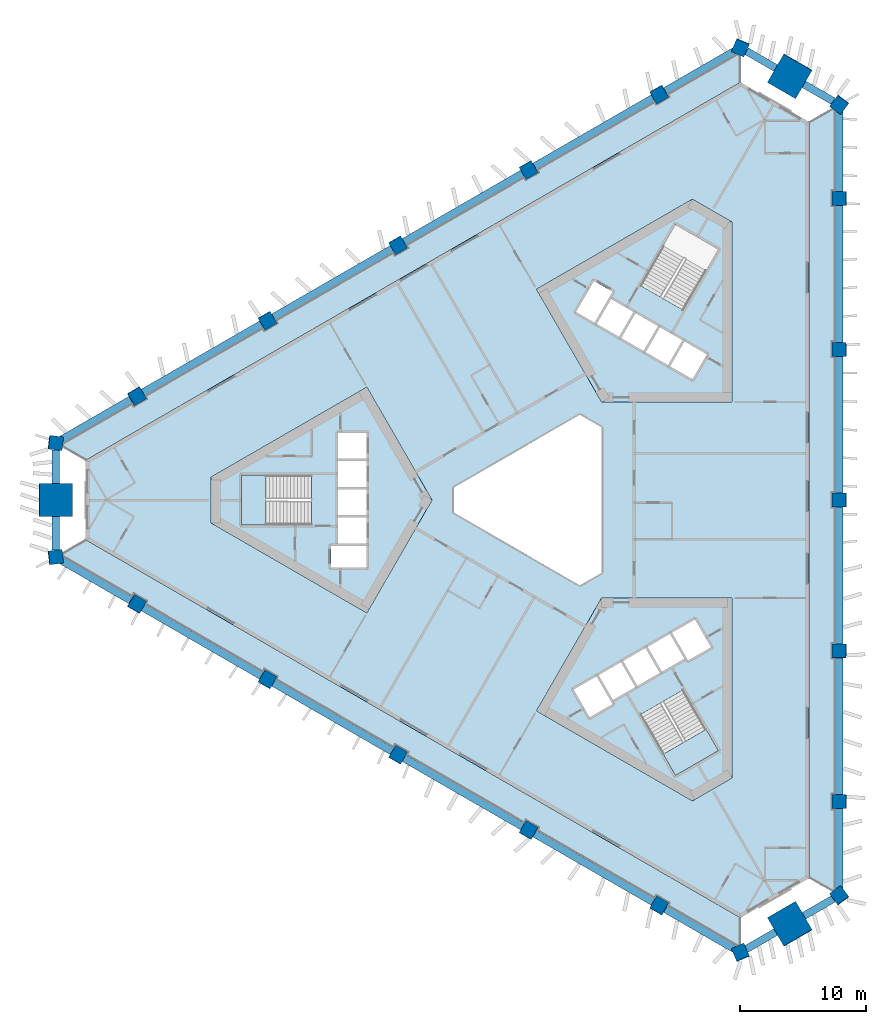
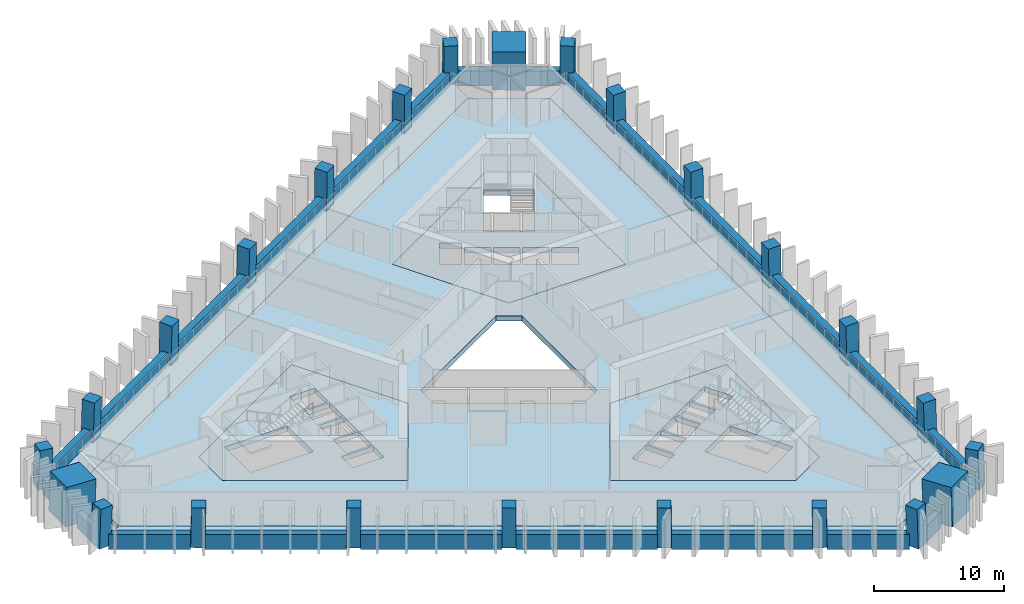
# One storey, part 1 of 11: 24 beams, 24 columns, 9 slabs, 2 elements without a shape of their own.
"""IFC4 building model written with IfcOpenShell, lengths in metres."""

from ifc_helpers import new_model, si_unit, direction, frame, origin, origin_2d, place, context, subcontext, project, spatial, polyline, rectangle, outline, extrude, material, layer, layer_set, material_profile, profile_set, type_object, element, aggregate, save


model = new_model("IFC4")

# Units and contexts
model_context = context("Model", 3, precision=1e-05, world=origin(), true_north=direction((0.0, 1.0)))
body_context = subcontext(model_context, "Body", "Model", "MODEL_VIEW")
ifc_project = project(units=[si_unit("LENGTHUNIT", "METRE"), si_unit("AREAUNIT", "SQUARE_METRE"), si_unit("VOLUMEUNIT", "CUBIC_METRE"), si_unit("PLANEANGLEUNIT", "RADIAN"), si_unit("MASSUNIT", "GRAM", prefix="KILO")], contexts=[model_context])

# Site, building, storey
site_placement = place(None, origin())
site = spatial("IfcSite", under=ifc_project, at=site_placement, CompositionType="ELEMENT")
building_placement = place(site_placement, origin())
building = spatial("IfcBuilding", under=site, at=building_placement, Name="Jabali Bay Hotel Tower and Convention Centre", CompositionType="ELEMENT")
storey_placement = place(building_placement, frame((0.0, 0.0, 61.0)))
storey = spatial("IfcBuildingStorey", under=building, at=storey_placement, Name="L13", CompositionType="ELEMENT", Elevation=61.0)

# Columns
ifc_material_1 = material(Name="Concrete C60", Category="concrete")
ifc_material_profile_1 = material_profile(ifc_material_1, rectangle(XDim=1.10009765625, YDim=1.10009765625, at=origin_2d()), Name="Frame column 1100")
ifc_profile_set_1 = profile_set([ifc_material_profile_1], Name="Concrete C60")
column_type_1 = type_object("IfcColumnType", Name="Frame column 1100", PredefinedType="COLUMN", material=ifc_profile_set_1)
column_1_placement = place(storey_placement, frame((84.0888671875, 112.29541015625, 0.0), z_axis=(-0.008376454378, -0.028163354484, 0.999568237028), x_axis=(0.86585218107, 0.499844611273, 0.021339285781)))
element("IfcColumn", 1, at=column_1_placement, inside=storey, type_object=column_type_1, Name="FC2 F1.1 L13", PredefinedType="COLUMN", context=body_context, shape_type="SweptSolid", body=[
    extrude(rectangle(XDim=1.10009765625, YDim=1.10009765625, at=origin_2d()), origin(), (0.0, 0.0, 1.0), 3.70166015625),
])
column_2_placement = place(storey_placement, frame((73.6884765625, 106.29052734375, 0.0), z_axis=(0.000857580205, -0.022758859284, 0.9997406158), x_axis=(0.866005831592, 0.499920732377, 0.010637715398)))
element("IfcColumn", 2, at=column_2_placement, inside=storey, type_object=column_type_1, Name="FC2 F1.2 L13", PredefinedType="COLUMN", context=body_context, shape_type="SweptSolid", body=[
    extrude(rectangle(XDim=1.10009765625, YDim=1.10009765625, at=origin_2d()), origin(), (0.0, 0.0, 1.0), 3.700927734375),
])
column_3_placement = place(storey_placement, frame((63.287841796875, 100.285888671875, 0.0), z_axis=(0.010093620709, -0.017482414954, 0.999796221231), x_axis=(0.866020200589, 0.50000901209, 8.5616e-08)))
element("IfcColumn", 3, at=column_3_placement, inside=storey, type_object=column_type_1, Name="FC2 F1.3 L13", PredefinedType="COLUMN", context=body_context, shape_type="SweptSolid", body=[
    extrude(rectangle(XDim=1.10009765625, YDim=1.10009765625, at=origin_2d()), origin(), (0.0, 0.0, 1.0), 3.70068359375),
])
column_4_placement = place(storey_placement, frame((52.887451171875, 94.28125, 0.0), z_axis=(0.019328516974, -0.012138044789, 0.999739504221), x_axis=(-0.500208848309, 0.865669585777, 0.020181088508)))
element("IfcColumn", 4, at=column_4_placement, inside=storey, type_object=column_type_1, Name="FC2 F1.4 L13", PredefinedType="COLUMN", context=body_context, shape_type="SweptSolid", body=[
    extrude(rectangle(XDim=1.10009765625, YDim=1.10009765625, at=origin_2d()), origin(), (0.0, 0.0, 1.0), 3.700927734375),
])
for number, where, z_axis, x_axis, name in (
    (5, (42.487060546875, 88.2763671875, 0.0), (0.028493212074, -0.006793520471, 0.999570900409), (-0.499957806748, 0.865815646522, 0.020135980476), "FC2 F1.5 L13"),
    (6, (42.487060546875, 71.7236328125, 0.0), (0.028493212074, 0.006793520471, 0.999570900409), (-0.865580919578, 0.50031701382, 0.021273395238), "FC2 F2.1 L13"),
):
    element("IfcColumn", number, at=place(storey_placement, frame(where, z_axis=z_axis, x_axis=x_axis)), inside=storey, type_object=column_type_1, Name=name, PredefinedType="COLUMN", context=body_context, shape_type="SweptSolid", body=[
        extrude(rectangle(XDim=1.10009765625, YDim=1.10009765625, at=origin_2d()), origin(), (0.0, 0.0, 1.0), 3.70166015625),
    ])
column_5_placement = place(storey_placement, frame((52.887451171875, 65.71875, 0.0), z_axis=(0.019328516974, 0.012138044789, 0.999739504221), x_axis=(-0.865689041461, 0.500468616527, 0.010660551878)))
element("IfcColumn", 7, at=column_5_placement, inside=storey, type_object=column_type_1, Name="FC2 F2.2 L13", PredefinedType="COLUMN", context=body_context, shape_type="SweptSolid", body=[
    extrude(rectangle(XDim=1.10009765625, YDim=1.10009765625, at=origin_2d()), origin(), (0.0, 0.0, 1.0), 3.700927734375),
])
column_6_placement = place(storey_placement, frame((63.287841796875, 59.714111328125, 0.0), z_axis=(0.010093620709, 0.017482414954, 0.999796221231), x_axis=(-0.499907122366, -0.865843723195, 0.020187025824)))
element("IfcColumn", 8, at=column_6_placement, inside=storey, type_object=column_type_1, Name="FC2 F2.3 L13", PredefinedType="COLUMN", context=body_context, shape_type="SweptSolid", body=[
    extrude(rectangle(XDim=1.10009765625, YDim=1.10009765625, at=origin_2d()), origin(), (0.0, 0.0, 1.0), 3.70068359375),
])
column_7_placement = place(storey_placement, frame((73.6884765625, 53.70947265625, 0.0), z_axis=(0.000857580205, 0.022758859284, 0.9997406158), x_axis=(-0.500033163106, -0.865772080668, 0.020138026985)))
element("IfcColumn", 9, at=column_7_placement, inside=storey, type_object=column_type_1, Name="FC2 F2.4 L13", PredefinedType="COLUMN", context=body_context, shape_type="SweptSolid", body=[
    extrude(rectangle(XDim=1.10009765625, YDim=1.10009765625, at=origin_2d()), origin(), (0.0, 0.0, 1.0), 3.700927734375),
])
for number, where, z_axis, x_axis, name in (
    (10, (84.0888671875, 47.70458984375, 0.0), (-0.008376454378, 0.028163354484, 0.999568237028), (-0.500229782748, -0.865657085713, 0.020198376324), "FC2 F2.5 L13"),
    (11, (98.424072265625, 55.981201171875, 0.0), (-0.020182659751, 0.021303918626, 0.999569308901), (0.000228267203, -0.99977282903, 0.021312865295), "FC2 F0.1 L13"),
):
    element("IfcColumn", number, at=place(storey_placement, frame(where, z_axis=z_axis, x_axis=x_axis)), inside=storey, type_object=column_type_1, Name=name, PredefinedType="COLUMN", context=body_context, shape_type="SweptSolid", body=[
        extrude(rectangle(XDim=1.10009765625, YDim=1.10009765625, at=origin_2d()), origin(), (0.0, 0.0, 1.0), 3.70166015625),
    ])
column_8_placement = place(storey_placement, frame((98.424072265625, 67.990478515625, 0.0), z_axis=(-0.020186088539, 0.010686752756, 0.999739123544), x_axis=(-0.001023376713, -0.999942568771, 0.010668264128)))
element("IfcColumn", 12, at=column_8_placement, inside=storey, type_object=column_type_1, Name="FC2 F0.2 L13", PredefinedType="COLUMN", context=body_context, shape_type="SweptSolid", body=[
    extrude(rectangle(XDim=1.10009765625, YDim=1.10009765625, at=origin_2d()), origin(), (0.0, 0.0, 1.0), 3.700927734375),
])
column_9_placement = place(storey_placement, frame((98.424072265625, 80.0, 0.0), z_axis=(-0.020187241331, 0.0, 0.99979621688), x_axis=(0.0, -1.0, 0.0)))
element("IfcColumn", 13, at=column_9_placement, inside=storey, type_object=column_type_1, Name="FC2 F0.3 L13", PredefinedType="COLUMN", context=body_context, shape_type="SweptSolid", body=[
    extrude(rectangle(XDim=1.10009765625, YDim=1.10009765625, at=origin_2d()), origin(), (0.0, 0.0, 1.0), 3.70068359375),
])
column_10_placement = place(storey_placement, frame((98.424072265625, 92.009521484375, 0.0), z_axis=(-0.020186088539, -0.010686752756, 0.999739123544), x_axis=(0.999795716399, 0.000807759214, 0.020195865801)))
element("IfcColumn", 14, at=column_10_placement, inside=storey, type_object=column_type_1, Name="FC2 F0.4 L13", PredefinedType="COLUMN", context=body_context, shape_type="SweptSolid", body=[
    extrude(rectangle(XDim=1.10009765625, YDim=1.10009765625, at=origin_2d()), origin(), (0.0, 0.0, 1.0), 3.700927734375),
])
column_11_placement = place(storey_placement, frame((98.424072265625, 104.018798828125, 0.0), z_axis=(-0.020182659751, -0.021303918626, 0.999569308901), x_axis=(0.999796283319, -0.000658319199, 0.020173211851)))
element("IfcColumn", 15, at=column_11_placement, inside=storey, type_object=column_type_1, Name="FC2 F0.5 L13", PredefinedType="COLUMN", context=body_context, shape_type="SweptSolid", body=[
    extrude(rectangle(XDim=1.10009765625, YDim=1.10009765625, at=origin_2d()), origin(), (0.0, 0.0, 1.0), 3.70166015625),
])
for number, where, z_axis, x_axis, name in (
    (16, (98.424072265625, 48.51513671875, 0.0), (-0.020178741915, 0.029015184452, 0.999375273581), (-0.802418464673, -0.596760709255, 0.001124029158), "FC2 V0 L13"),
    (17, (98.424072265625, 111.48486328125, 0.0), (-0.020178741915, -0.029015184452, 0.999375273581), (0.596420510988, 0.801894491165, 0.035324200097), "FC2 V1 L13"),
    (18, (90.5546875, 116.0283203125, 0.0), (-0.015035141917, -0.031982648376, 0.99937533225), (0.918052237078, -0.396457849808, 0.001123975777), "FC2 V2 L13"),
    (19, (36.021240234375, 84.54345703125, 0.0), (0.03521388716, -0.002967462401, 0.999375393092), (-0.992671063461, 0.115570755032, 0.035320820314), "FC2 V3 L13"),
    (20, (36.021240234375, 75.45654296875, 0.0), (0.03521388716, 0.002967462401, 0.999375393092), (-0.115603381947, 0.993294817639, 0.001123981469), "FC2 V4 L13"),
    (21, (90.5546875, 43.9716796875, 0.0), (-0.015035141917, 0.031982648376, 0.99937533225), (0.396174247653, -0.917495658588, 0.035322541925), "FC2 V5 L13"),
):
    element("IfcColumn", number, at=place(storey_placement, frame(where, z_axis=z_axis, x_axis=x_axis)), inside=storey, type_object=column_type_1, Name=name, PredefinedType="COLUMN", context=body_context, shape_type="SweptSolid", body=[
        extrude(rectangle(XDim=1.10009765625, YDim=1.10009765625, at=origin_2d()), origin(), (0.0, 0.0, 1.0), 3.7021484375),
    ])
ifc_material_2 = material(Name="Concrete C70", Category="concrete")
ifc_material_profile_2 = material_profile(ifc_material_2, rectangle(XDim=2.60009765625, YDim=2.60009765625, at=origin_2d()), Name="Mega column 2600")
ifc_profile_set_2 = profile_set([ifc_material_profile_2], Name="Concrete C70")
column_type_2 = type_object("IfcColumnType", Name="Mega column 2600", PredefinedType="COLUMN", material=ifc_profile_set_2)
for number, where, z_axis, x_axis, name in (
    (22, (94.489501953125, 113.756591796875, 0.0), (-0.017607037296, -0.030466109479, 0.999380712447), (0.86581098392, -0.500371202332, 2.457e-09), "MC2 M1 L13"),
    (23, (36.021240234375, 80.0, 0.0), (0.035214042205, 0.0, 0.999379793288), (0.0, 1.0, 0.0), "MC2 M0 L13"),
    (24, (94.489501953125, 46.243408203125, 0.0), (-0.017607037296, 0.030466109479, 0.999380712447), (0.500061328599, -0.865274797998, 0.035187946645), "MC2 M2 L13"),
):
    element("IfcColumn", number, at=place(storey_placement, frame(where, z_axis=z_axis, x_axis=x_axis)), inside=storey, type_object=column_type_2, Name=name, PredefinedType="COLUMN", context=body_context, shape_type="SweptSolid", body=[
        extrude(rectangle(XDim=2.60009765625, YDim=2.60009765625, at=origin_2d()), origin(), (0.0, 0.0, 1.0), 3.7021484375),
    ])

# Beams
ifc_material_profile_3 = material_profile(ifc_material_1, rectangle(XDim=0.60009765625, YDim=1.449951171875, at=origin_2d()), Name="Spandrel 600x1450")
ifc_profile_set_3 = profile_set([ifc_material_profile_3], Name="Concrete C60")
beam_type = type_object("IfcBeamType", Name="Spandrel 600x1450", PredefinedType="SPANDREL", material=ifc_profile_set_3)
beam_1_placement = place(storey_placement, frame((93.35693359375, 114.395263671875, 0.375), z_axis=(-0.86601343004, 0.500020738559, 0.0), x_axis=(-0.500020738559, -0.86601343004, 0.0)))
element("IfcBeam", 25, at=beam_1_placement, inside=storey, type_object=beam_type, Name="Spandrel M1-V2 L13", PredefinedType="SPANDREL", context=body_context, shape_type="SweptSolid", body=[
    extrude(rectangle(XDim=0.60009765625, YDim=1.449951171875, at=origin_2d()), origin(), (0.0, 0.0, 1.0), 2.6923828125),
])
beam_2_placement = place(storey_placement, frame((90.07275390625, 115.741455078125, 0.375), z_axis=(-0.866024577697, -0.500001430823, 0.0), x_axis=(0.500001430823, -0.866024577697, 0.0)))
element("IfcBeam", 26, at=beam_2_placement, inside=storey, type_object=beam_type, Name="Spandrel V2-F1.1 L13", PredefinedType="SPANDREL", context=body_context, shape_type="SweptSolid", body=[
    extrude(rectangle(XDim=0.60009765625, YDim=1.449951171875, at=origin_2d()), origin(), (0.0, 0.0, 1.0), 6.36328125),
])
for number, where, z_axis, x_axis, name in (
    (27, (83.609375, 112.009765625, 0.375), (-0.866027515249, -0.499996342818, 0.0), (0.499996342818, -0.866027515249, 0.0), "Spandrel F1.1-F1.2 L13"),
    (28, (73.21240234375, 106.007080078125, 0.375), (-0.866027515249, -0.499996342818, 0.0), (0.499996342818, -0.866027515249, 0.0), "Spandrel F1.2-F1.3 L13"),
):
    element("IfcBeam", number, at=place(storey_placement, frame(where, z_axis=z_axis, x_axis=x_axis)), inside=storey, type_object=beam_type, Name=name, PredefinedType="SPANDREL", context=body_context, shape_type="SweptSolid", body=[
        extrude(rectangle(XDim=0.60009765625, YDim=1.449951171875, at=origin_2d()), origin(), (0.0, 0.0, 1.0), 10.9052734375),
    ])
beam_3_placement = place(storey_placement, frame((62.8154296875, 100.00439453125, 0.375), z_axis=(-0.866017821288, -0.500013133039, 0.0), x_axis=(0.500013133039, -0.866017821288, 0.0)))
element("IfcBeam", 29, at=beam_3_placement, inside=storey, type_object=beam_type, Name="Spandrel F1.3-F1.4 L13", PredefinedType="SPANDREL", context=body_context, shape_type="SweptSolid", body=[
    extrude(rectangle(XDim=0.60009765625, YDim=1.449951171875, at=origin_2d()), origin(), (0.0, 0.0, 1.0), 10.905517578125),
])
beam_4_placement = place(storey_placement, frame((52.41845703125, 94.001708984375, 0.375), z_axis=(-0.866023418164, -0.50000343918, 0.0), x_axis=(0.50000343918, -0.866023418164, 0.0)))
element("IfcBeam", 30, at=beam_4_placement, inside=storey, type_object=beam_type, Name="Spandrel F1.4-F1.5 L13", PredefinedType="SPANDREL", context=body_context, shape_type="SweptSolid", body=[
    extrude(rectangle(XDim=0.60009765625, YDim=1.449951171875, at=origin_2d()), origin(), (0.0, 0.0, 1.0), 10.90576171875),
])
beam_5_placement = place(storey_placement, frame((42.021240234375, 87.998779296875, 0.375), z_axis=(-0.866031599642, -0.499989268306, 0.0), x_axis=(0.499989268306, -0.866031599642, 0.0)))
element("IfcBeam", 31, at=beam_5_placement, inside=storey, type_object=beam_type, Name="Spandrel F1.5-V3 L13", PredefinedType="SPANDREL", context=body_context, shape_type="SweptSolid", body=[
    extrude(rectangle(XDim=0.60009765625, YDim=1.449951171875, at=origin_2d()), origin(), (0.0, 0.0, 1.0), 6.363037109375),
])
for number, where, z_axis, x_axis, name in (
    (32, (36.034423828125, 83.992431640625, 0.375), (0.0, -1.0, 0.0), (1.0, 0.0, 0.0), "Spandrel V3-M0 L13"),
    (33, (36.034423828125, 78.699951171875, 0.375), (0.0, -1.0, 0.0), (1.0, 0.0, 0.0), "Spandrel M0-V4 L13"),
):
    element("IfcBeam", number, at=place(storey_placement, frame(where, z_axis=z_axis, x_axis=x_axis)), inside=storey, type_object=beam_type, Name=name, PredefinedType="SPANDREL", context=body_context, shape_type="SweptSolid", body=[
        extrude(rectangle(XDim=0.60009765625, YDim=1.449951171875, at=origin_2d()), origin(), (0.0, 0.0, 1.0), 2.6923828125),
    ])
beam_6_placement = place(storey_placement, frame((36.5107421875, 75.1826171875, 0.375), z_axis=(0.866031599642, -0.499989268306, 0.0), x_axis=(0.499989268306, 0.866031599642, 0.0)))
element("IfcBeam", 34, at=beam_6_placement, inside=storey, type_object=beam_type, Name="Spandrel V4-F2.1 L13", PredefinedType="SPANDREL", context=body_context, shape_type="SweptSolid", body=[
    extrude(rectangle(XDim=0.60009765625, YDim=1.449951171875, at=origin_2d()), origin(), (0.0, 0.0, 1.0), 6.363037109375),
])
beam_7_placement = place(storey_placement, frame((42.973876953125, 71.451171875, 0.375), z_axis=(0.866023418164, -0.50000343918, 0.0), x_axis=(0.50000343918, 0.866023418164, 0.0)))
element("IfcBeam", 35, at=beam_7_placement, inside=storey, type_object=beam_type, Name="Spandrel F2.1-F2.2 L13", PredefinedType="SPANDREL", context=body_context, shape_type="SweptSolid", body=[
    extrude(rectangle(XDim=0.60009765625, YDim=1.449951171875, at=origin_2d()), origin(), (0.0, 0.0, 1.0), 10.90576171875),
])
beam_8_placement = place(storey_placement, frame((53.37109375, 65.448486328125, 0.375), z_axis=(0.866017821288, -0.500013133039, 0.0), x_axis=(0.500013133039, 0.866017821288, 0.0)))
element("IfcBeam", 36, at=beam_8_placement, inside=storey, type_object=beam_type, Name="Spandrel F2.2-F2.3 L13", PredefinedType="SPANDREL", context=body_context, shape_type="SweptSolid", body=[
    extrude(rectangle(XDim=0.60009765625, YDim=1.449951171875, at=origin_2d()), origin(), (0.0, 0.0, 1.0), 10.905517578125),
])
for number, where, z_axis, x_axis, name in (
    (37, (63.76806640625, 59.445556640625, 0.375), (0.866027515249, -0.499996342818, 0.0), (0.499996342818, 0.866027515249, 0.0), "Spandrel F2.3-F2.4 L13"),
    (38, (74.1650390625, 53.44287109375, 0.375), (0.866027515249, -0.499996342818, 0.0), (0.499996342818, 0.866027515249, 0.0), "Spandrel F2.4-F2.5 L13"),
):
    element("IfcBeam", number, at=place(storey_placement, frame(where, z_axis=z_axis, x_axis=x_axis)), inside=storey, type_object=beam_type, Name=name, PredefinedType="SPANDREL", context=body_context, shape_type="SweptSolid", body=[
        extrude(rectangle(XDim=0.60009765625, YDim=1.449951171875, at=origin_2d()), origin(), (0.0, 0.0, 1.0), 10.9052734375),
    ])
beam_9_placement = place(storey_placement, frame((84.56201171875, 47.440185546875, 0.375), z_axis=(0.866024577697, -0.500001430823, 0.0), x_axis=(0.500001430823, 0.866024577697, 0.0)))
element("IfcBeam", 39, at=beam_9_placement, inside=storey, type_object=beam_type, Name="Spandrel F2.5-V5 L13", PredefinedType="SPANDREL", context=body_context, shape_type="SweptSolid", body=[
    extrude(rectangle(XDim=0.60009765625, YDim=1.449951171875, at=origin_2d()), origin(), (0.0, 0.0, 1.0), 6.36328125),
])
for number, where, z_axis, x_axis, name in (
    (40, (91.025390625, 44.258544921875, 0.375), (0.86601343004, 0.500020738559, 0.0), (-0.500020738559, 0.86601343004, 0.0), "Spandrel V5-M2 L13"),
    (41, (95.608642578125, 46.90478515625, 0.375), (0.86601343004, 0.500020738559, 0.0), (-0.500020738559, 0.86601343004, 0.0), "Spandrel M2-V0 L13"),
):
    element("IfcBeam", number, at=place(storey_placement, frame(where, z_axis=z_axis, x_axis=x_axis)), inside=storey, type_object=beam_type, Name=name, PredefinedType="SPANDREL", context=body_context, shape_type="SweptSolid", body=[
        extrude(rectangle(XDim=0.60009765625, YDim=1.449951171875, at=origin_2d()), origin(), (0.0, 0.0, 1.0), 2.6923828125),
    ])
beam_10_placement = place(storey_placement, frame((98.41650390625, 49.075927734375, 0.375), z_axis=(0.0, 1.0, 0.0), x_axis=(-1.0, 0.0, 0.0)))
element("IfcBeam", 42, at=beam_10_placement, inside=storey, type_object=beam_type, Name="Spandrel V0-F0.1 L13", PredefinedType="SPANDREL", context=body_context, shape_type="SweptSolid", body=[
    extrude(rectangle(XDim=0.60009765625, YDim=1.449951171875, at=origin_2d()), origin(), (0.0, 0.0, 1.0), 6.36328125),
])
for number, where, z_axis, x_axis, name in (
    (43, (98.41650390625, 56.5390625, 0.375), (0.0, 1.0, 0.0), (-1.0, 0.0, 0.0), "Spandrel F0.1-F0.2 L13"),
    (44, (98.41650390625, 68.54443359375, 0.375), (0.0, 1.0, 0.0), (-1.0, 0.0, 0.0), "Spandrel F0.2-F0.3 L13"),
    (45, (98.41650390625, 80.550048828125, 0.375), (0.0, 1.0, 0.0), (-1.0, 0.0, 0.0), "Spandrel F0.3-F0.4 L13"),
    (46, (98.41650390625, 92.555419921875, 0.375), (0.0, 1.0, 0.0), (-1.0, 0.0, 0.0), "Spandrel F0.4-F0.5 L13"),
):
    element("IfcBeam", number, at=place(storey_placement, frame(where, z_axis=z_axis, x_axis=x_axis)), inside=storey, type_object=beam_type, Name=name, PredefinedType="SPANDREL", context=body_context, shape_type="SweptSolid", body=[
        extrude(rectangle(XDim=0.60009765625, YDim=1.449951171875, at=origin_2d()), origin(), (0.0, 0.0, 1.0), 10.905517578125),
    ])
beam_11_placement = place(storey_placement, frame((98.41650390625, 104.560791015625, 0.375), z_axis=(0.0, 1.0, 0.0), x_axis=(-1.0, 0.0, 0.0)))
element("IfcBeam", 47, at=beam_11_placement, inside=storey, type_object=beam_type, Name="Spandrel F0.5-V1 L13", PredefinedType="SPANDREL", context=body_context, shape_type="SweptSolid", body=[
    extrude(rectangle(XDim=0.60009765625, YDim=1.449951171875, at=origin_2d()), origin(), (0.0, 0.0, 1.0), 6.36328125),
])
beam_12_placement = place(storey_placement, frame((97.940185546875, 111.7490234375, 0.375), z_axis=(-0.86601343004, 0.500020738559, 0.0), x_axis=(-0.500020738559, -0.86601343004, 0.0)))
element("IfcBeam", 48, at=beam_12_placement, inside=storey, type_object=beam_type, Name="Spandrel V1-M1 L13", PredefinedType="SPANDREL", context=body_context, shape_type="SweptSolid", body=[
    extrude(rectangle(XDim=0.60009765625, YDim=1.449951171875, at=origin_2d()), origin(), (0.0, 0.0, 1.0), 2.6923828125),
])

# Slabs
ifc_material_3 = material(Name="Concrete C40", Category="concrete")
ifc_layer_1 = layer(ifc_material_3, 0.5)
ifc_layer_set_1 = layer_set([ifc_layer_1], Name="Concrete C40")
slab_type_1 = type_object("IfcSlabType", Name="Core floor slab 500", PredefinedType="FLOOR", material=ifc_layer_set_1)
slab_1_placement = place(storey_placement, frame((0.0, 0.0, -0.5)))
element("IfcSlab", 49, at=slab_1_placement, inside=storey, type_object=slab_type_1, Name="Core floor slab 1 L13", PredefinedType="FLOOR", context=body_context, shape_type="SweptSolid", body=[
    extrude(outline(polyline([(66.0, 80.0), (60.81005859375, 88.9892578125), (48.39697265625, 81.82275390625), (48.39697265625, 78.17724609375), (60.81005859375, 71.0107421875), (66.0, 80.0)]), holes=[polyline([(60.800048828125, 74.64990234375), (60.800048828125, 76.35009765625), (57.949951171875, 76.35009765625), (57.949951171875, 74.64990234375), (60.800048828125, 74.64990234375)]), polyline([(58.52001953125, 76.550048828125), (60.800048828125, 76.550048828125), (60.800048828125, 78.60009765625), (58.52001953125, 78.60009765625), (58.52001953125, 76.550048828125)]), polyline([(58.52001953125, 78.800048828125), (60.800048828125, 78.800048828125), (60.800048828125, 80.85009765625), (58.52001953125, 80.85009765625), (58.52001953125, 78.800048828125)]), polyline([(56.409912109375, 81.97509765625), (50.820068359375, 81.97509765625), (50.820068359375, 78.02490234375), (56.409912109375, 78.02490234375), (56.409912109375, 81.97509765625)]), polyline([(58.52001953125, 81.050048828125), (60.800048828125, 81.050048828125), (60.800048828125, 83.10009765625), (58.52001953125, 83.10009765625), (58.52001953125, 81.050048828125)]), polyline([(58.52001953125, 83.300048828125), (60.800048828125, 83.300048828125), (60.800048828125, 85.35009765625), (58.52001953125, 85.35009765625), (58.52001953125, 83.300048828125)])]), origin(), (0.0, 0.0, 1.0), 0.5),
])
slab_2_placement = place(storey_placement, frame((0.0, 0.0, -0.5)))
element("IfcSlab", 50, at=slab_2_placement, inside=storey, type_object=slab_type_1, Name="Core floor slab 2 L13", PredefinedType="FLOOR", context=body_context, shape_type="SweptSolid", body=[
    extrude(outline(polyline([(79.5, 87.794189453125), (89.8798828125, 87.794189453125), (89.8798828125, 102.127685546875), (86.72314453125, 103.9501953125), (74.31005859375, 96.78369140625), (79.5, 87.794189453125)]), holes=[polyline([(84.957763671875, 90.6474609375), (86.733154296875, 89.62255859375), (87.873291015625, 91.59716796875), (86.097900390625, 92.6220703125), (84.957763671875, 90.6474609375)]), polyline([(84.1494140625, 93.7470703125), (83.00927734375, 91.7724609375), (84.78466796875, 90.74755859375), (85.924560546875, 92.72216796875), (84.1494140625, 93.7470703125)]), polyline([(82.20068359375, 94.8720703125), (81.060791015625, 92.8974609375), (82.836181640625, 91.87255859375), (83.97607421875, 93.84716796875), (82.20068359375, 94.8720703125)]), polyline([(79.1123046875, 94.0224609375), (80.887451171875, 92.99755859375), (82.027587890625, 94.97216796875), (80.252197265625, 95.9970703125), (79.1123046875, 94.0224609375)]), polyline([(78.891845703125, 97.440673828125), (77.466796875, 94.97265625), (78.93896484375, 94.12255859375), (80.364013671875, 96.5908203125), (78.891845703125, 97.440673828125)]), polyline([(82.584716796875, 97.0869140625), (86.00537109375, 95.11181640625), (88.80029296875, 99.952880859375), (85.379638671875, 101.927978515625), (82.584716796875, 97.0869140625)])]), origin(), (0.0, 0.0, 1.0), 0.5),
])
slab_3_placement = place(storey_placement, frame((0.0, 0.0, -0.5)))
element("IfcSlab", 51, at=slab_3_placement, inside=storey, type_object=slab_type_1, Name="Core floor slab 3 L13", PredefinedType="FLOOR", context=body_context, shape_type="SweptSolid", body=[
    extrude(outline(polyline([(79.5, 72.205810546875), (74.31005859375, 63.21630859375), (86.72314453125, 56.0498046875), (89.8798828125, 57.872314453125), (89.8798828125, 72.205810546875), (79.5, 72.205810546875)]), holes=[polyline([(82.584716796875, 62.9130859375), (85.379638671875, 58.072021484375), (88.80029296875, 60.047119140625), (86.00537109375, 64.88818359375), (82.584716796875, 62.9130859375)]), polyline([(80.365478515625, 63.756591796875), (79.090576171875, 65.96484375), (77.27197265625, 64.9150390625), (78.546875, 62.70654296875), (80.365478515625, 63.756591796875)]), polyline([(82.17919921875, 65.115478515625), (81.0390625, 67.08984375), (79.263671875, 66.06494140625), (80.40380859375, 64.09033203125), (82.17919921875, 65.115478515625)]), polyline([(82.98779296875, 68.21484375), (81.21240234375, 67.18994140625), (82.352294921875, 65.21533203125), (84.127685546875, 66.240478515625), (82.98779296875, 68.21484375)]), polyline([(86.076171875, 67.365478515625), (84.936279296875, 69.33984375), (83.160888671875, 68.31494140625), (84.30078125, 66.34033203125), (86.076171875, 67.365478515625)]), polyline([(88.203125, 68.281494140625), (86.927978515625, 70.489990234375), (85.109375, 69.43994140625), (86.384521484375, 67.231689453125), (88.203125, 68.281494140625)])]), origin(), (0.0, 0.0, 1.0), 0.5),
])
ifc_layer_2 = layer(ifc_material_3, 0.199951171875)
ifc_layer_set_2 = layer_set([ifc_layer_2], Name="Concrete C40")
slab_type_2 = type_object("IfcSlabType", Name="Loggia slab 200", PredefinedType="FLOOR", material=ifc_layer_set_2)
slab_4_placement = place(storey_placement, frame((0.0, 0.0, -0.199951171875)))
element("IfcSlab", 52, at=slab_4_placement, inside=storey, type_object=slab_type_2, Name="Loggia slab east face L13", PredefinedType="FLOOR", context=body_context, shape_type="SweptSolid", body=[
    extrude(outline(polyline([(96.024169921875, 110.099365234375), (97.9052734375, 111.185302734375), (98.1240234375, 111.022705078125), (98.1240234375, 104.56884765625), (97.8740234375, 104.56884765625), (97.8740234375, 103.468994140625), (98.1240234375, 103.468994140625), (98.1240234375, 92.5595703125), (97.8740234375, 92.5595703125), (97.8740234375, 91.45947265625), (98.1240234375, 91.45947265625), (98.1240234375, 80.550048828125), (97.8740234375, 80.550048828125), (97.8740234375, 79.449951171875), (98.1240234375, 79.449951171875), (98.1240234375, 68.54052734375), (97.8740234375, 68.54052734375), (97.8740234375, 67.4404296875), (98.1240234375, 67.4404296875), (98.1240234375, 56.531005859375), (97.8740234375, 56.531005859375), (97.8740234375, 55.43115234375), (98.1240234375, 55.43115234375), (98.1240234375, 48.977294921875), (97.9052734375, 48.814697265625), (96.024169921875, 49.900634765625), (96.024169921875, 110.099365234375)])), origin(), (0.0, 0.0, 1.0), 0.199951171875),
])
slab_5_placement = place(storey_placement, frame((0.0, 0.0, -0.199951171875)))
element("IfcSlab", 53, at=slab_5_placement, inside=storey, type_object=slab_type_2, Name="Loggia slab north-west face L13", PredefinedType="FLOOR", context=body_context, shape_type="SweptSolid", body=[
    extrude(outline(polyline([(38.421142578125, 83.15771484375), (36.5400390625, 84.243896484375), (36.571533203125, 84.514892578125), (42.16064453125, 87.74169921875), (42.28564453125, 87.525146484375), (43.23828125, 88.0751953125), (43.11328125, 88.291748046875), (52.56103515625, 93.746337890625), (52.68603515625, 93.52978515625), (53.638671875, 94.079833984375), (53.513671875, 94.29638671875), (62.961669921875, 99.7509765625), (63.086669921875, 99.53466796875), (64.039306640625, 100.08447265625), (63.914306640625, 100.301025390625), (73.362060546875, 105.755859375), (73.487060546875, 105.539306640625), (74.439697265625, 106.08935546875), (74.314697265625, 106.305908203125), (83.7626953125, 111.760498046875), (83.8876953125, 111.5439453125), (84.84033203125, 112.093994140625), (84.71533203125, 112.310546875), (90.30419921875, 115.537353515625), (90.5546875, 115.42919921875), (90.5546875, 113.257080078125), (38.421142578125, 83.15771484375)])), origin(), (0.0, 0.0, 1.0), 0.199951171875),
])
slab_6_placement = place(storey_placement, frame((0.0, 0.0, -0.199951171875)))
element("IfcSlab", 54, at=slab_6_placement, inside=storey, type_object=slab_type_2, Name="Loggia slab south-west face L13", PredefinedType="FLOOR", context=body_context, shape_type="SweptSolid", body=[
    extrude(outline(polyline([(90.5546875, 46.742919921875), (90.5546875, 44.57080078125), (90.30419921875, 44.462646484375), (84.71533203125, 47.689453125), (84.84033203125, 47.906005859375), (83.8876953125, 48.4560546875), (83.7626953125, 48.239501953125), (74.314697265625, 53.694091796875), (74.439697265625, 53.91064453125), (73.487060546875, 54.460693359375), (73.362060546875, 54.244140625), (63.914306640625, 59.698974609375), (64.039306640625, 59.91552734375), (63.086669921875, 60.46533203125), (62.961669921875, 60.2490234375), (53.513671875, 65.70361328125), (53.638671875, 65.920166015625), (52.68603515625, 66.47021484375), (52.56103515625, 66.253662109375), (43.11328125, 71.708251953125), (43.23828125, 71.9248046875), (42.28564453125, 72.474853515625), (42.16064453125, 72.25830078125), (36.571533203125, 75.485107421875), (36.5400390625, 75.756103515625), (38.421142578125, 76.84228515625), (90.5546875, 46.742919921875)])), origin(), (0.0, 0.0, 1.0), 0.199951171875),
])
ifc_layer_3 = layer(ifc_material_3, 0.5)
ifc_layer_set_3 = layer_set([ifc_layer_3], Name="Concrete C40")
slab_type_3 = type_object("IfcSlabType", Name="Post-tensioned flat slab 500", PredefinedType="FLOOR", material=ifc_layer_set_3)
slab_7_placement = place(storey_placement, frame((0.0, 0.0, -0.5)))
element("IfcSlab", 55, at=slab_7_placement, inside=storey, type_object=slab_type_3, Name="Floor slab L13", PredefinedType="FLOOR", context=body_context, shape_type="SweptSolid", body=[
    extrude(outline(polyline([(90.5546875, 113.257080078125), (96.024169921875, 110.099365234375), (96.024169921875, 49.900634765625), (90.5546875, 46.742919921875), (38.421142578125, 76.84228515625), (38.421142578125, 83.15771484375), (90.5546875, 113.257080078125)]), holes=[polyline([(67.73193359375, 79.0), (77.76806640625, 73.205810546875), (79.5, 74.205810546875), (79.5, 85.794189453125), (77.76806640625, 86.794189453125), (67.73193359375, 81.0), (67.73193359375, 79.0)]), polyline([(48.39697265625, 78.17724609375), (60.81005859375, 71.0107421875), (66.0, 80.0), (60.81005859375, 88.9892578125), (48.39697265625, 81.82275390625), (48.39697265625, 78.17724609375)]), polyline([(89.8798828125, 102.127685546875), (86.72314453125, 103.9501953125), (74.31005859375, 96.78369140625), (79.5, 87.794189453125), (89.8798828125, 87.794189453125), (89.8798828125, 102.127685546875)]), polyline([(74.31005859375, 63.21630859375), (86.72314453125, 56.0498046875), (89.8798828125, 57.872314453125), (89.8798828125, 72.205810546875), (79.5, 72.205810546875), (74.31005859375, 63.21630859375)])]), origin(), (0.0, 0.0, 1.0), 0.5),
])

# Stair, slab
stair_type = type_object("IfcStairType", Name="Exit stair 1900", PredefinedType="HALF_TURN_STAIR", material=ifc_material_3)
stair_1_placement = place(storey_placement, origin())
stair_1 = element("IfcStair", 56, at=stair_1_placement, inside=storey, type_object=stair_type, Name="L13 Exit Stair 1", PredefinedType="HALF_TURN_STAIR")
ifc_layer_4 = layer(ifc_material_3, 0.199951171875)
ifc_layer_set_4 = layer_set([ifc_layer_4], Name="Concrete C40")
slab_type_4 = type_object("IfcSlabType", Name="Stair landing 200", PredefinedType="LANDING", material=ifc_layer_set_4)
slab_8_placement = place(storey_placement, frame((0.0, 0.0, 1.64990234375)))
slab_8 = element("IfcSlab", 57, at=slab_8_placement, type_object=slab_type_4, Name="ST1 landing 1", PredefinedType="LANDING", context=body_context, shape_type="SweptSolid", body=[
    extrude(outline(polyline([(52.782958984375, 81.97509765625), (50.820068359375, 81.97509765625), (50.820068359375, 78.02490234375), (52.782958984375, 78.02490234375), (52.782958984375, 81.97509765625)])), origin(), (0.0, 0.0, 1.0), 0.2001953125),
])
aggregate(stair_1, [slab_8])

stair_2_placement = place(storey_placement, origin())
stair_2 = element("IfcStair", 58, at=stair_2_placement, inside=storey, type_object=stair_type, Name="L13 Exit Stair 3", PredefinedType="HALF_TURN_STAIR")
slab_9_placement = place(storey_placement, frame((0.0, 0.0, 1.64990234375)))
slab_9 = element("IfcSlab", 59, at=slab_9_placement, type_object=slab_type_4, Name="ST3 landing 1", PredefinedType="LANDING", context=body_context, shape_type="SweptSolid", body=[
    extrude(outline(polyline([(84.398193359375, 59.77197265625), (85.379638671875, 58.072021484375), (88.80029296875, 60.047119140625), (87.81884765625, 61.7470703125), (84.398193359375, 59.77197265625)])), origin(), (0.0, 0.0, 1.0), 0.2001953125),
])
aggregate(stair_2, [slab_9])

save(model, "model.ifc")
